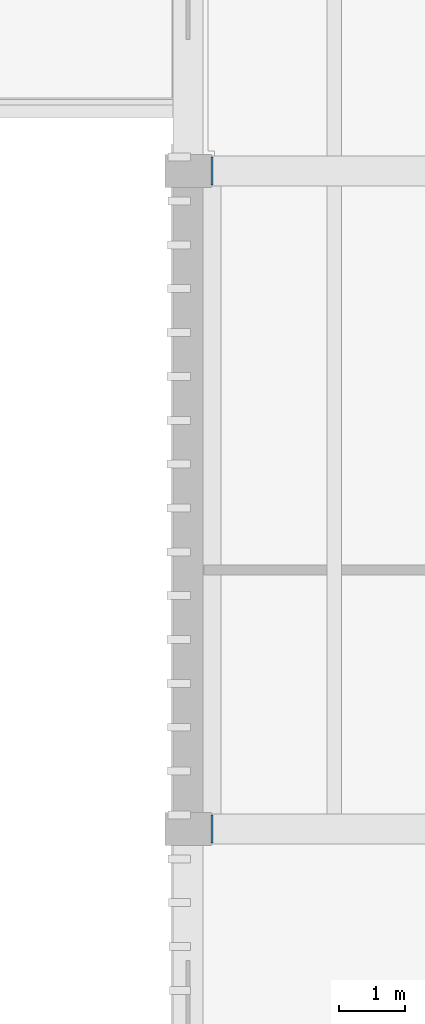
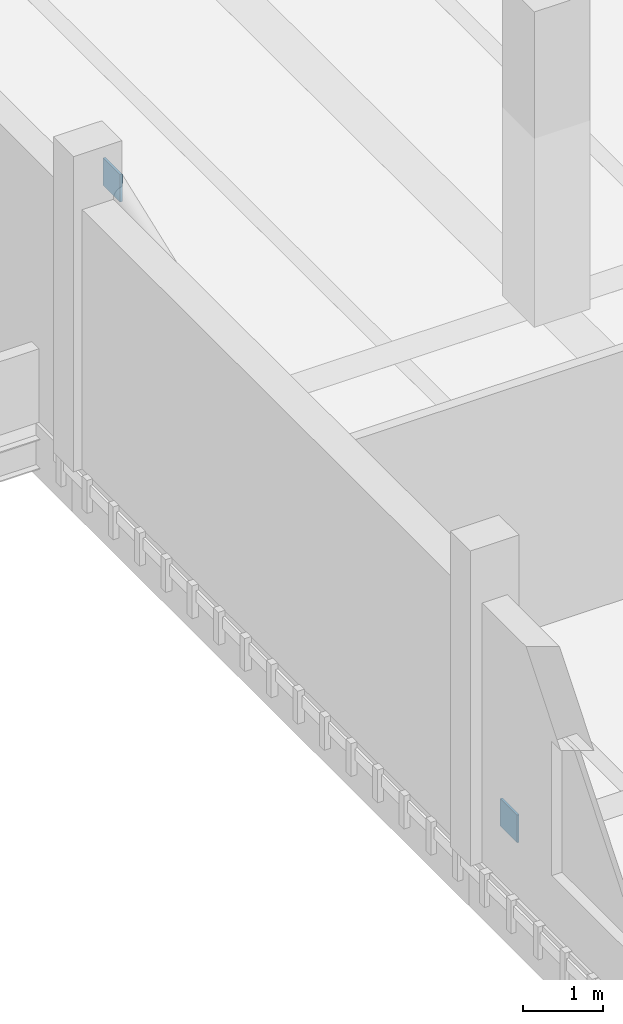
# One storey, part 64 of 101: 2 plates.
"""IFC4 building model written with IfcOpenShell, lengths in metres."""

from ifc_helpers import new_model, si_unit, direction, frame, origin, origin_2d, place, context, subcontext, project, spatial, rectangle, extrude, material, layer, layer_set, type_object, element, save


model = new_model("IFC4")

# Units and contexts
model_context = context("Model", 3, precision=1e-05, world=origin(), true_north=direction((0.0, 1.0)))
body_context = subcontext(model_context, "Body", "Model", "MODEL_VIEW")
ifc_project = project(units=[si_unit("LENGTHUNIT", "METRE"), si_unit("AREAUNIT", "SQUARE_METRE"), si_unit("VOLUMEUNIT", "CUBIC_METRE"), si_unit("PLANEANGLEUNIT", "RADIAN"), si_unit("MASSUNIT", "GRAM", prefix="KILO")], contexts=[model_context])

# Site, building, storey
site_placement = place(None, origin())
site = spatial("IfcSite", under=ifc_project, at=site_placement, CompositionType="ELEMENT")
building_placement = place(site_placement, origin())
building = spatial("IfcBuilding", under=site, at=building_placement, Name="Dornvale Research Institute", CompositionType="ELEMENT")
storey_placement = place(building_placement, frame((0.0, 0.0, 10.199951171875)))
storey = spatial("IfcBuildingStorey", under=building, at=storey_placement, Name="L02", CompositionType="ELEMENT", Elevation=10.199951171875)

# Plates
ifc_material = material(Name="Steel ASTM A572 Grade 50", Category="steel")
ifc_layer = layer(ifc_material, 0.031982421875)
ifc_layer_set = layer_set([ifc_layer], Name="Steel ASTM A572 Grade 50")
plate_type = type_object("IfcPlateType", Name="SheetPlate_Gusset_32", PredefinedType="SHEET", material=ifc_layer_set)
for number, where, z_axis, x_axis, name in (
    (1, (119.159912109375, 102.300048828125, 0.090087890625), (0.0, 0.0, 1.0), (0.0, 1.0, 0.0), "HSS brace node gusset and cap plate ND-043"),
    (2, (119.159912109375, 112.199951171875, 3.840087890625), (0.0, 0.0, 1.0), (0.0, 1.0, 0.0), "HSS brace node gusset and cap plate ND-044"),
):
    element("IfcPlate", number, at=place(storey_placement, frame(where, z_axis=z_axis, x_axis=x_axis)), inside=storey, type_object=plate_type, Name=name, PredefinedType="SHEET", context=body_context, shape_type="SweptSolid", body=[
        extrude(rectangle(XDim=0.419921875, YDim=0.031982421875, at=origin_2d()), origin(), (0.0, 0.0, 1.0), 0.419921875),
    ])

save(model, "model.ifc")
